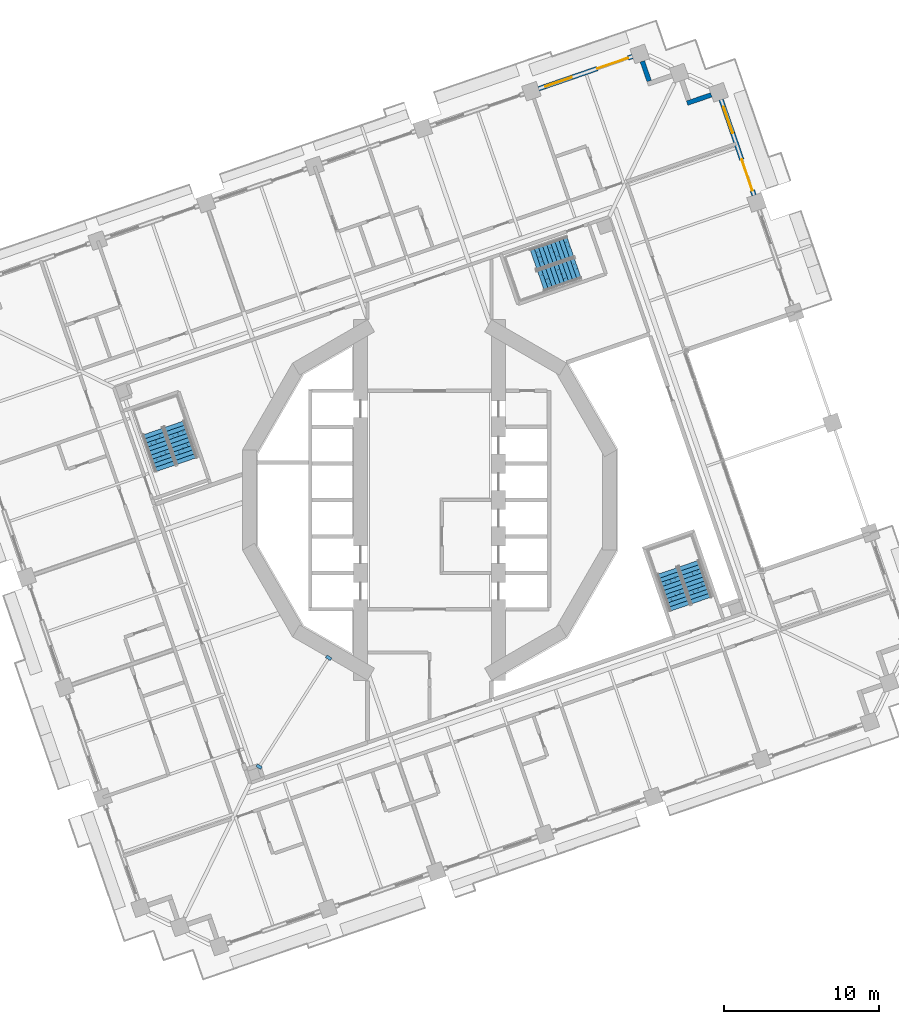
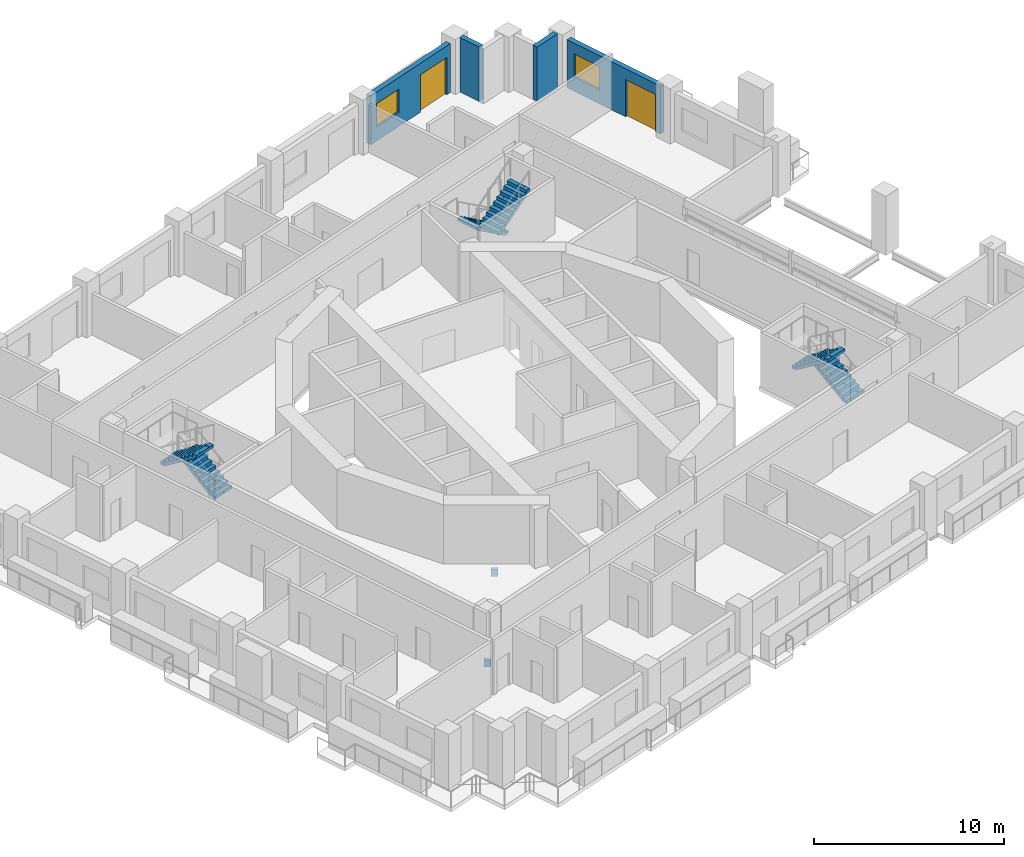
# One storey, part 14 of 22: 6 stair flights, 4 walls, 2 discrete accessories, 2 doors, 2 windows, 4 openings, 3 elements without a shape of their own.
"""IFC4 building model written with IfcOpenShell, lengths in metres."""

from ifc_helpers import new_model, si_unit, direction, frame, frame_2d, origin, place, context, subcontext, project, spatial, polyline, rectangle, outline, extrude, material, layer, layer_set, type_object, element, fill, aggregate, save


model = new_model("IFC4")

# Units and contexts
model_context = context("Model", 3, precision=1e-05, world=origin(), true_north=direction((0.0, 1.0)))
body_context = subcontext(model_context, "Body", "Model", "MODEL_VIEW")
ifc_project = project(units=[si_unit("LENGTHUNIT", "METRE"), si_unit("AREAUNIT", "SQUARE_METRE"), si_unit("VOLUMEUNIT", "CUBIC_METRE"), si_unit("PLANEANGLEUNIT", "RADIAN"), si_unit("MASSUNIT", "GRAM", prefix="KILO")], contexts=[model_context])

# Site, building, storey
site_placement = place(None, origin())
site = spatial("IfcSite", under=ifc_project, at=site_placement, CompositionType="ELEMENT")
building_placement = place(site_placement, origin())
building = spatial("IfcBuilding", under=site, at=building_placement, Name="Cantera Rosa Tower", CompositionType="ELEMENT")
storey_placement = place(building_placement, frame((0.0, 0.0, 115.5)))
storey = spatial("IfcBuildingStorey", under=building, at=storey_placement, Name="L23", CompositionType="ELEMENT", Elevation=115.5)

# Walls
ifc_material_1 = material(Name="Hollow clay masonry with cantera stone cladding", Category="masonry")
ifc_layer_1 = layer(ifc_material_1, 0.300048828125)
ifc_layer_set_1 = layer_set([ifc_layer_1], Name="EW-LOGGIA 300")
wall_type_1 = type_object("IfcWallType", Name="EW-LOGGIA 300", PredefinedType="SOLIDWALL", material=ifc_layer_set_1)
wall_1_placement = place(storey_placement, frame((18.17919921875, 26.142822265625, 0.0), z_axis=(0.0, 0.0, 1.0), x_axis=(-0.945530119553, -0.32553462645, 0.0)))
element("IfcWall", 1, at=wall_1_placement, inside=storey, type_object=wall_type_1, Name="EN-L23-W06a", PredefinedType="SOLIDWALL", context=body_context, shape_type="SweptSolid", body=[
    extrude(rectangle(XDim=1.64990234375, YDim=0.300048828125, at=frame_2d((0.824951171875, 0.0))), origin(), (0.0, 0.0, 1.0), 3.5),
])
wall_2_placement = place(storey_placement, frame((14.169921875, 27.0361328125, 0.0), z_axis=(0.0, 0.0, 1.0), x_axis=(-0.325650742363, 0.945490134268, 0.0)))
element("IfcWall", 2, at=wall_2_placement, inside=storey, type_object=wall_type_1, Name="EN-L23-W07b", PredefinedType="SOLIDWALL", context=body_context, shape_type="SweptSolid", body=[
    extrude(rectangle(XDim=1.35009765625, YDim=0.300048828125, at=frame_2d((0.675048828125, 0.0))), origin(), (0.0, 0.0, 1.0), 3.5),
])

# Wall, openings, window, door
ifc_material_2 = material(Name="Hollow clay masonry with cantera stone cladding", Category="masonry")
ifc_layer_2 = layer(ifc_material_2, 0.300048828125)
ifc_layer_set_2 = layer_set([ifc_layer_2], Name="EW-LOGGIA 300 H3090")
wall_type_2 = type_object("IfcWallType", Name="EW-LOGGIA 300 H3090", PredefinedType="SOLIDWALL", material=ifc_layer_set_2)
wall_3_placement = place(storey_placement, frame((20.9375, 19.668212890625, 0.0), z_axis=(0.0, 0.0, 1.0), x_axis=(-0.325592517631, 0.945510186335, 0.0)))
wall_3 = element("IfcWall", 3, at=wall_3_placement, inside=storey, type_object=wall_type_2, Name="EN-L23-W05", PredefinedType="SOLIDWALL", context=body_context, shape_type="SweptSolid", body=[
    extrude(rectangle(XDim=6.519775390625, YDim=0.300048828125, at=frame_2d((3.259765625, 0.0))), origin(), (0.0, 0.0, 1.0), 3.090087890625),
])
opening_1_placement = place(wall_3_placement, frame((0.330078125, 0.0, 0.0)))
opening_1 = element("IfcOpeningElement", 4, at=opening_1_placement, cuts=wall_3, Name="Opening L23-TD05", PredefinedType="OPENING", context=body_context, shape_type="SweptSolid", body=[
    extrude(rectangle(XDim=2.10009765625, YDim=2.39990234375, at=frame_2d((1.050048828125, 1.199951171875))), frame((0.0, 0.159912109375, 0.0), z_axis=(0.0, -1.0, 0.0), x_axis=(1.0, 0.0, 0.0)), (0.0, 0.0, 1.0), 0.320068359375),
])
opening_2_placement = place(wall_3_placement, frame((4.239990234375, 0.0, 0.89990234375)))
opening_2 = element("IfcOpeningElement", 5, at=opening_2_placement, cuts=wall_3, Name="Opening L23-W06", PredefinedType="OPENING", context=body_context, shape_type="SweptSolid", body=[
    extrude(rectangle(XDim=1.800048828125, YDim=1.5, at=frame_2d((0.89990234375, 0.75))), frame((0.0, 0.159912109375, 0.0), z_axis=(0.0, -1.0, 0.0), x_axis=(1.0, 0.0, 0.0)), (0.0, 0.0, 1.0), 0.320068359375),
])
ifc_material_3 = material(Name="Aluminium frame with clear glass", Category="aluminium")
window_type = type_object("IfcWindowType", Name="Hotel room window 1800x1500", PartitioningType="DOUBLE_PANEL_VERTICAL", PredefinedType="WINDOW", material=ifc_material_3)
window_1_placement = place(opening_2_placement, origin())
window_1 = element("IfcWindow", 6, at=window_1_placement, inside=storey, type_object=window_type, Name="WINDOW L23-W06", OverallHeight=1.5, OverallWidth=1.800048828125, PartitioningType="SINGLE_PANEL", PredefinedType="WINDOW", context=body_context, shape_type="SweptSolid", body=[
    extrude(rectangle(XDim=1.800048828125, YDim=1.5, at=frame_2d((0.89990234375, 0.75))), frame((0.0, 0.030029296875, 0.0), z_axis=(0.0, -1.0, 0.0), x_axis=(1.0, 0.0, 0.0)), (0.0, 0.0, 1.0), 0.06005859375),
])
fill(opening_2, window_1)
ifc_material_4 = material(Name="Aluminium frame with clear glass", Category="aluminium")
door_type = type_object("IfcDoorType", Name="TD-H 2100x2400", OperationType="NOTDEFINED", PredefinedType="DOOR", material=ifc_material_4)
door_1_placement = place(opening_1_placement, origin())
door_1 = element("IfcDoor", 7, at=door_1_placement, inside=storey, type_object=door_type, Name="LOGGIA DOOR L23-TD05", OperationType="SLIDING_TO_LEFT", OverallHeight=2.39990234375, OverallWidth=2.10009765625, PredefinedType="DOOR", context=body_context, shape_type="SweptSolid", body=[
    extrude(rectangle(XDim=2.10009765625, YDim=2.39990234375, at=frame_2d((1.050048828125, 1.199951171875))), frame((0.0, 0.02490234375, 0.0), z_axis=(0.0, -1.0, 0.0), x_axis=(1.0, 0.0, 0.0)), (0.0, 0.0, 1.0), 0.050048828125),
])
fill(opening_1, door_1)

ifc_material_5 = material(Name="Hollow clay masonry with cantera stone cladding", Category="masonry")
ifc_layer_3 = layer(ifc_material_5, 0.300048828125)
ifc_layer_set_3 = layer_set([ifc_layer_3], Name="EW-LOGGIA 300 H3140")
wall_type_3 = type_object("IfcWallType", Name="EW-LOGGIA 300 H3140", PredefinedType="SOLIDWALL", material=ifc_layer_set_3)
wall_4_placement = place(storey_placement, frame((13.0947265625, 28.62255859375, 0.0), z_axis=(0.0, 0.0, 1.0), x_axis=(-0.945524496524, -0.325550958337, 0.0)))
wall_4 = element("IfcWall", 8, at=wall_4_placement, inside=storey, type_object=wall_type_3, Name="EN-L23-W08", PredefinedType="SOLIDWALL", context=body_context, shape_type="SweptSolid", body=[
    extrude(rectangle(XDim=6.39990234375, YDim=0.300048828125, at=frame_2d((3.199951171875, 0.0))), origin(), (0.0, 0.0, 1.0), 3.139892578125),
])
opening_3_placement = place(wall_4_placement, frame((0.300048828125, 0.0, 0.0)))
opening_3 = element("IfcOpeningElement", 9, at=opening_3_placement, cuts=wall_4, Name="Opening L23-TD07", PredefinedType="OPENING", context=body_context, shape_type="SweptSolid", body=[
    extrude(rectangle(XDim=2.10009765625, YDim=2.39990234375, at=frame_2d((1.050048828125, 1.199951171875))), frame((0.0, 0.159912109375, 0.0), z_axis=(0.0, -1.0, 0.0), x_axis=(1.0, 0.0, 0.0)), (0.0, 0.0, 1.0), 0.320068359375),
])
opening_4_placement = place(wall_4_placement, frame((4.14990234375, 0.0, 0.89990234375)))
opening_4 = element("IfcOpeningElement", 10, at=opening_4_placement, cuts=wall_4, Name="Opening L23-W08", PredefinedType="OPENING", context=body_context, shape_type="SweptSolid", body=[
    extrude(rectangle(XDim=1.800048828125, YDim=1.5, at=frame_2d((0.89990234375, 0.75))), frame((0.0, 0.159912109375, 0.0), z_axis=(0.0, -1.0, 0.0), x_axis=(1.0, 0.0, 0.0)), (0.0, 0.0, 1.0), 0.320068359375),
])
window_2_placement = place(opening_4_placement, origin())
window_2 = element("IfcWindow", 11, at=window_2_placement, inside=storey, type_object=window_type, Name="WINDOW L23-W08", OverallHeight=1.5, OverallWidth=1.800048828125, PartitioningType="SINGLE_PANEL", PredefinedType="WINDOW", context=body_context, shape_type="SweptSolid", body=[
    extrude(rectangle(XDim=1.800048828125, YDim=1.5, at=frame_2d((0.89990234375, 0.75))), frame((0.0, 0.030029296875, 0.0), z_axis=(0.0, -1.0, 0.0), x_axis=(1.0, 0.0, 0.0)), (0.0, 0.0, 1.0), 0.06005859375),
])
fill(opening_4, window_2)
door_2_placement = place(opening_3_placement, origin())
door_2 = element("IfcDoor", 12, at=door_2_placement, inside=storey, type_object=door_type, Name="LOGGIA DOOR L23-TD07", OperationType="SLIDING_TO_LEFT", OverallHeight=2.39990234375, OverallWidth=2.10009765625, PredefinedType="DOOR", context=body_context, shape_type="SweptSolid", body=[
    extrude(rectangle(XDim=2.10009765625, YDim=2.39990234375, at=frame_2d((1.050048828125, 1.199951171875))), frame((0.0, 0.02490234375, 0.0), z_axis=(0.0, -1.0, 0.0), x_axis=(1.0, 0.0, 0.0)), (0.0, 0.0, 1.0), 0.050048828125),
])
fill(opening_3, door_2)

# Stair, stair flights
ifc_material_6 = material(Name="Concrete C35/45", Category="concrete")
stair_type = type_object("IfcStairType", Name="EXIT STAIR 1350 DOGLEG", PredefinedType="HALF_TURN_STAIR", material=ifc_material_6)
stair_1_placement = place(storey_placement, origin())
stair_1 = element("IfcStair", 13, at=stair_1_placement, inside=storey, type_object=stair_type, Name="L23 ST-21", PredefinedType="HALF_TURN_STAIR")
ifc_material_7 = material(Name="Concrete C35/45", Category="concrete")
stair_flight_type = type_object("IfcStairFlightType", Name="STAIR FLIGHT 1350 R20x190", PredefinedType="STRAIGHT", material=ifc_material_7)
stair_flight_1_placement = place(storey_placement, frame((9.07958984375, 16.364990234375, 0.0), z_axis=(0.0, 0.0, 1.0), x_axis=(-0.945518575599, -0.325568154457, 0.0)))
stair_flight_1 = element("IfcStairFlight", 14, at=stair_flight_1_placement, type_object=stair_flight_type, Name="ST-21 flight 1", NumberOfRisers=10, NumberOfTreads=9, PredefinedType="STRAIGHT", RiserHeight=0.19, TreadLength=0.28, context=body_context, shape_type="SweptSolid", body=[
    extrude(outline(polyline([(0.0, 0.0), (0.0, 0.18994140625), (0.280029296875, 0.18994140625), (0.280029296875, 0.3798828125), (0.56005859375, 0.3798828125), (0.56005859375, 0.570068359375), (0.840087890625, 0.570068359375), (0.840087890625, 0.760009765625), (1.1201171875, 0.760009765625), (1.1201171875, 0.949951171875), (1.39990234375, 0.949951171875), (1.39990234375, 1.139892578125), (1.679931640625, 1.139892578125), (1.679931640625, 1.330078125), (1.9599609375, 1.330078125), (1.9599609375, 1.52001953125), (2.239990234375, 1.52001953125), (2.239990234375, 1.7099609375), (2.52001953125, 1.7099609375), (2.52001953125, 1.89990234375), (2.52001953125, 1.52880859375), (0.266845703125, 0.0), (0.0, 0.0)])), frame((0.0, 0.675048828125, 0.0), z_axis=(0.0, -1.0, 0.0), x_axis=(1.0, 0.0, 0.0)), (0.0, 0.0, 1.0), 0.3359375),
    extrude(outline(polyline([(0.0, 0.0), (0.0, 0.18994140625), (0.280029296875, 0.18994140625), (0.280029296875, 0.3798828125), (0.56005859375, 0.3798828125), (0.56005859375, 0.570068359375), (0.840087890625, 0.570068359375), (0.840087890625, 0.760009765625), (1.1201171875, 0.760009765625), (1.1201171875, 0.949951171875), (1.39990234375, 0.949951171875), (1.39990234375, 1.139892578125), (1.679931640625, 1.139892578125), (1.679931640625, 1.330078125), (1.9599609375, 1.330078125), (1.9599609375, 1.52001953125), (2.239990234375, 1.52001953125), (2.239990234375, 1.7099609375), (2.52001953125, 1.7099609375), (2.52001953125, 1.89990234375), (2.52001953125, 1.52880859375), (0.266845703125, 0.0), (0.0, 0.0)])), frame((0.0, 0.337158203125, 0.0), z_axis=(0.0, -1.0, 0.0), x_axis=(1.0, 0.0, 0.0)), (0.0, 0.0, 1.0), 0.3359375),
    extrude(outline(polyline([(0.0, 0.0), (0.0, 0.18994140625), (0.280029296875, 0.18994140625), (0.280029296875, 0.3798828125), (0.56005859375, 0.3798828125), (0.56005859375, 0.570068359375), (0.840087890625, 0.570068359375), (0.840087890625, 0.760009765625), (1.1201171875, 0.760009765625), (1.1201171875, 0.949951171875), (1.39990234375, 0.949951171875), (1.39990234375, 1.139892578125), (1.679931640625, 1.139892578125), (1.679931640625, 1.330078125), (1.9599609375, 1.330078125), (1.9599609375, 1.52001953125), (2.239990234375, 1.52001953125), (2.239990234375, 1.7099609375), (2.52001953125, 1.7099609375), (2.52001953125, 1.89990234375), (2.52001953125, 1.52880859375), (0.266845703125, 0.0), (0.0, 0.0)])), frame((0.0, -0.000732421875, 0.0), z_axis=(0.0, -1.0, 0.0), x_axis=(1.0, 0.0, 0.0)), (0.0, 0.0, 1.0), 0.3359375),
    extrude(outline(polyline([(0.0, 0.0), (0.0, 0.18994140625), (0.280029296875, 0.18994140625), (0.280029296875, 0.3798828125), (0.56005859375, 0.3798828125), (0.56005859375, 0.570068359375), (0.840087890625, 0.570068359375), (0.840087890625, 0.760009765625), (1.1201171875, 0.760009765625), (1.1201171875, 0.949951171875), (1.39990234375, 0.949951171875), (1.39990234375, 1.139892578125), (1.679931640625, 1.139892578125), (1.679931640625, 1.330078125), (1.9599609375, 1.330078125), (1.9599609375, 1.52001953125), (2.239990234375, 1.52001953125), (2.239990234375, 1.7099609375), (2.52001953125, 1.7099609375), (2.52001953125, 1.89990234375), (2.52001953125, 1.52880859375), (0.266845703125, 0.0), (0.0, 0.0)])), frame((0.0, -0.338623046875, 0.0), z_axis=(0.0, -1.0, 0.0), x_axis=(1.0, 0.0, 0.0)), (0.0, 0.0, 1.0), 0.3359375),
])
stair_flight_2_placement = place(storey_placement, frame((7.185302734375, 14.126220703125, 1.89990234375), z_axis=(0.0, 0.0, 1.0), x_axis=(0.945518575599, 0.325568154457, 0.0)))
stair_flight_2 = element("IfcStairFlight", 15, at=stair_flight_2_placement, type_object=stair_flight_type, Name="ST-21 flight 2", NumberOfRisers=10, NumberOfTreads=9, PredefinedType="STRAIGHT", RiserHeight=0.19, TreadLength=0.28, context=body_context, shape_type="SweptSolid", body=[
    extrude(outline(polyline([(0.0, 0.0), (0.0, 0.18994140625), (0.280029296875, 0.18994140625), (0.280029296875, 0.3798828125), (0.56005859375, 0.3798828125), (0.56005859375, 0.570068359375), (0.840087890625, 0.570068359375), (0.840087890625, 0.760009765625), (1.1201171875, 0.760009765625), (1.1201171875, 0.949951171875), (1.39990234375, 0.949951171875), (1.39990234375, 1.139892578125), (1.679931640625, 1.139892578125), (1.679931640625, 1.330078125), (1.9599609375, 1.330078125), (1.9599609375, 1.52001953125), (2.239990234375, 1.52001953125), (2.239990234375, 1.7099609375), (2.52001953125, 1.7099609375), (2.52001953125, 1.89990234375), (2.52001953125, 1.52880859375), (0.266845703125, 0.0), (0.0, 0.0)])), frame((0.0, 0.675048828125, 0.0), z_axis=(0.0, -1.0, 0.0), x_axis=(1.0, 0.0, 0.0)), (0.0, 0.0, 1.0), 0.3359375),
    extrude(outline(polyline([(0.0, 0.0), (0.0, 0.18994140625), (0.280029296875, 0.18994140625), (0.280029296875, 0.3798828125), (0.56005859375, 0.3798828125), (0.56005859375, 0.570068359375), (0.840087890625, 0.570068359375), (0.840087890625, 0.760009765625), (1.1201171875, 0.760009765625), (1.1201171875, 0.949951171875), (1.39990234375, 0.949951171875), (1.39990234375, 1.139892578125), (1.679931640625, 1.139892578125), (1.679931640625, 1.330078125), (1.9599609375, 1.330078125), (1.9599609375, 1.52001953125), (2.239990234375, 1.52001953125), (2.239990234375, 1.7099609375), (2.52001953125, 1.7099609375), (2.52001953125, 1.89990234375), (2.52001953125, 1.52880859375), (0.266845703125, 0.0), (0.0, 0.0)])), frame((0.0, 0.337158203125, 0.0), z_axis=(0.0, -1.0, 0.0), x_axis=(1.0, 0.0, 0.0)), (0.0, 0.0, 1.0), 0.3359375),
    extrude(outline(polyline([(0.0, 0.0), (0.0, 0.18994140625), (0.280029296875, 0.18994140625), (0.280029296875, 0.3798828125), (0.56005859375, 0.3798828125), (0.56005859375, 0.570068359375), (0.840087890625, 0.570068359375), (0.840087890625, 0.760009765625), (1.1201171875, 0.760009765625), (1.1201171875, 0.949951171875), (1.39990234375, 0.949951171875), (1.39990234375, 1.139892578125), (1.679931640625, 1.139892578125), (1.679931640625, 1.330078125), (1.9599609375, 1.330078125), (1.9599609375, 1.52001953125), (2.239990234375, 1.52001953125), (2.239990234375, 1.7099609375), (2.52001953125, 1.7099609375), (2.52001953125, 1.89990234375), (2.52001953125, 1.52880859375), (0.266845703125, 0.0), (0.0, 0.0)])), frame((0.0, -0.000732421875, 0.0), z_axis=(0.0, -1.0, 0.0), x_axis=(1.0, 0.0, 0.0)), (0.0, 0.0, 1.0), 0.3359375),
    extrude(outline(polyline([(0.0, 0.0), (0.0, 0.18994140625), (0.280029296875, 0.18994140625), (0.280029296875, 0.3798828125), (0.56005859375, 0.3798828125), (0.56005859375, 0.570068359375), (0.840087890625, 0.570068359375), (0.840087890625, 0.760009765625), (1.1201171875, 0.760009765625), (1.1201171875, 0.949951171875), (1.39990234375, 0.949951171875), (1.39990234375, 1.139892578125), (1.679931640625, 1.139892578125), (1.679931640625, 1.330078125), (1.9599609375, 1.330078125), (1.9599609375, 1.52001953125), (2.239990234375, 1.52001953125), (2.239990234375, 1.7099609375), (2.52001953125, 1.7099609375), (2.52001953125, 1.89990234375), (2.52001953125, 1.52880859375), (0.266845703125, 0.0), (0.0, 0.0)])), frame((0.0, -0.338623046875, 0.0), z_axis=(0.0, -1.0, 0.0), x_axis=(1.0, 0.0, 0.0)), (0.0, 0.0, 1.0), 0.3359375),
])
aggregate(stair_1, [stair_flight_1, stair_flight_2])

stair_2_placement = place(storey_placement, origin())
stair_2 = element("IfcStair", 16, at=stair_2_placement, inside=storey, type_object=stair_type, Name="L23 ST-22", PredefinedType="HALF_TURN_STAIR")
stair_flight_3_placement = place(storey_placement, frame((-15.635009765625, 2.5205078125, 0.0), z_axis=(0.0, 0.0, 1.0), x_axis=(-0.325568154457, 0.945518575599, 0.0)))
stair_flight_3 = element("IfcStairFlight", 17, at=stair_flight_3_placement, type_object=stair_flight_type, Name="ST-22 flight 1", NumberOfRisers=10, NumberOfTreads=9, PredefinedType="STRAIGHT", RiserHeight=0.19, TreadLength=0.28, context=body_context, shape_type="SweptSolid", body=[
    extrude(outline(polyline([(0.0, 0.0), (0.0, 0.18994140625), (0.280029296875, 0.18994140625), (0.280029296875, 0.3798828125), (0.56005859375, 0.3798828125), (0.56005859375, 0.570068359375), (0.840087890625, 0.570068359375), (0.840087890625, 0.760009765625), (1.1201171875, 0.760009765625), (1.1201171875, 0.949951171875), (1.39990234375, 0.949951171875), (1.39990234375, 1.139892578125), (1.679931640625, 1.139892578125), (1.679931640625, 1.330078125), (1.9599609375, 1.330078125), (1.9599609375, 1.52001953125), (2.239990234375, 1.52001953125), (2.239990234375, 1.7099609375), (2.52001953125, 1.7099609375), (2.52001953125, 1.89990234375), (2.52001953125, 1.52880859375), (0.266845703125, 0.0), (0.0, 0.0)])), frame((0.0, 0.675048828125, 0.0), z_axis=(0.0, -1.0, 0.0), x_axis=(1.0, 0.0, 0.0)), (0.0, 0.0, 1.0), 0.3359375),
    extrude(outline(polyline([(0.0, 0.0), (0.0, 0.18994140625), (0.280029296875, 0.18994140625), (0.280029296875, 0.3798828125), (0.56005859375, 0.3798828125), (0.56005859375, 0.570068359375), (0.840087890625, 0.570068359375), (0.840087890625, 0.760009765625), (1.1201171875, 0.760009765625), (1.1201171875, 0.949951171875), (1.39990234375, 0.949951171875), (1.39990234375, 1.139892578125), (1.679931640625, 1.139892578125), (1.679931640625, 1.330078125), (1.9599609375, 1.330078125), (1.9599609375, 1.52001953125), (2.239990234375, 1.52001953125), (2.239990234375, 1.7099609375), (2.52001953125, 1.7099609375), (2.52001953125, 1.89990234375), (2.52001953125, 1.52880859375), (0.266845703125, 0.0), (0.0, 0.0)])), frame((0.0, 0.337158203125, 0.0), z_axis=(0.0, -1.0, 0.0), x_axis=(1.0, 0.0, 0.0)), (0.0, 0.0, 1.0), 0.3359375),
    extrude(outline(polyline([(0.0, 0.0), (0.0, 0.18994140625), (0.280029296875, 0.18994140625), (0.280029296875, 0.3798828125), (0.56005859375, 0.3798828125), (0.56005859375, 0.570068359375), (0.840087890625, 0.570068359375), (0.840087890625, 0.760009765625), (1.1201171875, 0.760009765625), (1.1201171875, 0.949951171875), (1.39990234375, 0.949951171875), (1.39990234375, 1.139892578125), (1.679931640625, 1.139892578125), (1.679931640625, 1.330078125), (1.9599609375, 1.330078125), (1.9599609375, 1.52001953125), (2.239990234375, 1.52001953125), (2.239990234375, 1.7099609375), (2.52001953125, 1.7099609375), (2.52001953125, 1.89990234375), (2.52001953125, 1.52880859375), (0.266845703125, 0.0), (0.0, 0.0)])), frame((0.0, -0.000732421875, 0.0), z_axis=(0.0, -1.0, 0.0), x_axis=(1.0, 0.0, 0.0)), (0.0, 0.0, 1.0), 0.3359375),
    extrude(outline(polyline([(0.0, 0.0), (0.0, 0.18994140625), (0.280029296875, 0.18994140625), (0.280029296875, 0.3798828125), (0.56005859375, 0.3798828125), (0.56005859375, 0.570068359375), (0.840087890625, 0.570068359375), (0.840087890625, 0.760009765625), (1.1201171875, 0.760009765625), (1.1201171875, 0.949951171875), (1.39990234375, 0.949951171875), (1.39990234375, 1.139892578125), (1.679931640625, 1.139892578125), (1.679931640625, 1.330078125), (1.9599609375, 1.330078125), (1.9599609375, 1.52001953125), (2.239990234375, 1.52001953125), (2.239990234375, 1.7099609375), (2.52001953125, 1.7099609375), (2.52001953125, 1.89990234375), (2.52001953125, 1.52880859375), (0.266845703125, 0.0), (0.0, 0.0)])), frame((0.0, -0.338623046875, 0.0), z_axis=(0.0, -1.0, 0.0), x_axis=(1.0, 0.0, 0.0)), (0.0, 0.0, 1.0), 0.3359375),
])
stair_flight_4_placement = place(storey_placement, frame((-17.873779296875, 4.414794921875, 1.89990234375), z_axis=(0.0, 0.0, 1.0), x_axis=(0.325568154457, -0.945518575599, 0.0)))
stair_flight_4 = element("IfcStairFlight", 18, at=stair_flight_4_placement, type_object=stair_flight_type, Name="ST-22 flight 2", NumberOfRisers=10, NumberOfTreads=9, PredefinedType="STRAIGHT", RiserHeight=0.19, TreadLength=0.28, context=body_context, shape_type="SweptSolid", body=[
    extrude(outline(polyline([(0.0, 0.0), (0.0, 0.18994140625), (0.280029296875, 0.18994140625), (0.280029296875, 0.3798828125), (0.56005859375, 0.3798828125), (0.56005859375, 0.570068359375), (0.840087890625, 0.570068359375), (0.840087890625, 0.760009765625), (1.1201171875, 0.760009765625), (1.1201171875, 0.949951171875), (1.39990234375, 0.949951171875), (1.39990234375, 1.139892578125), (1.679931640625, 1.139892578125), (1.679931640625, 1.330078125), (1.9599609375, 1.330078125), (1.9599609375, 1.52001953125), (2.239990234375, 1.52001953125), (2.239990234375, 1.7099609375), (2.52001953125, 1.7099609375), (2.52001953125, 1.89990234375), (2.52001953125, 1.52880859375), (0.266845703125, 0.0), (0.0, 0.0)])), frame((0.0, 0.675048828125, 0.0), z_axis=(0.0, -1.0, 0.0), x_axis=(1.0, 0.0, 0.0)), (0.0, 0.0, 1.0), 0.3359375),
    extrude(outline(polyline([(0.0, 0.0), (0.0, 0.18994140625), (0.280029296875, 0.18994140625), (0.280029296875, 0.3798828125), (0.56005859375, 0.3798828125), (0.56005859375, 0.570068359375), (0.840087890625, 0.570068359375), (0.840087890625, 0.760009765625), (1.1201171875, 0.760009765625), (1.1201171875, 0.949951171875), (1.39990234375, 0.949951171875), (1.39990234375, 1.139892578125), (1.679931640625, 1.139892578125), (1.679931640625, 1.330078125), (1.9599609375, 1.330078125), (1.9599609375, 1.52001953125), (2.239990234375, 1.52001953125), (2.239990234375, 1.7099609375), (2.52001953125, 1.7099609375), (2.52001953125, 1.89990234375), (2.52001953125, 1.52880859375), (0.266845703125, 0.0), (0.0, 0.0)])), frame((0.0, 0.337158203125, 0.0), z_axis=(0.0, -1.0, 0.0), x_axis=(1.0, 0.0, 0.0)), (0.0, 0.0, 1.0), 0.3359375),
    extrude(outline(polyline([(0.0, 0.0), (0.0, 0.18994140625), (0.280029296875, 0.18994140625), (0.280029296875, 0.3798828125), (0.56005859375, 0.3798828125), (0.56005859375, 0.570068359375), (0.840087890625, 0.570068359375), (0.840087890625, 0.760009765625), (1.1201171875, 0.760009765625), (1.1201171875, 0.949951171875), (1.39990234375, 0.949951171875), (1.39990234375, 1.139892578125), (1.679931640625, 1.139892578125), (1.679931640625, 1.330078125), (1.9599609375, 1.330078125), (1.9599609375, 1.52001953125), (2.239990234375, 1.52001953125), (2.239990234375, 1.7099609375), (2.52001953125, 1.7099609375), (2.52001953125, 1.89990234375), (2.52001953125, 1.52880859375), (0.266845703125, 0.0), (0.0, 0.0)])), frame((0.0, -0.000732421875, 0.0), z_axis=(0.0, -1.0, 0.0), x_axis=(1.0, 0.0, 0.0)), (0.0, 0.0, 1.0), 0.3359375),
    extrude(outline(polyline([(0.0, 0.0), (0.0, 0.18994140625), (0.280029296875, 0.18994140625), (0.280029296875, 0.3798828125), (0.56005859375, 0.3798828125), (0.56005859375, 0.570068359375), (0.840087890625, 0.570068359375), (0.840087890625, 0.760009765625), (1.1201171875, 0.760009765625), (1.1201171875, 0.949951171875), (1.39990234375, 0.949951171875), (1.39990234375, 1.139892578125), (1.679931640625, 1.139892578125), (1.679931640625, 1.330078125), (1.9599609375, 1.330078125), (1.9599609375, 1.52001953125), (2.239990234375, 1.52001953125), (2.239990234375, 1.7099609375), (2.52001953125, 1.7099609375), (2.52001953125, 1.89990234375), (2.52001953125, 1.52880859375), (0.266845703125, 0.0), (0.0, 0.0)])), frame((0.0, -0.338623046875, 0.0), z_axis=(0.0, -1.0, 0.0), x_axis=(1.0, 0.0, 0.0)), (0.0, 0.0, 1.0), 0.3359375),
])
aggregate(stair_2, [stair_flight_3, stair_flight_4])

stair_3_placement = place(storey_placement, origin())
stair_3 = element("IfcStair", 19, at=stair_3_placement, inside=storey, type_object=stair_type, Name="L23 ST-23", PredefinedType="HALF_TURN_STAIR")
stair_flight_5_placement = place(storey_placement, frame((17.56494140625, -6.4794921875, 0.0), z_axis=(0.0, 0.0, 1.0), x_axis=(-0.325568154457, 0.945518575599, 0.0)))
stair_flight_5 = element("IfcStairFlight", 20, at=stair_flight_5_placement, type_object=stair_flight_type, Name="ST-23 flight 1", NumberOfRisers=10, NumberOfTreads=9, PredefinedType="STRAIGHT", RiserHeight=0.19, TreadLength=0.28, context=body_context, shape_type="SweptSolid", body=[
    extrude(outline(polyline([(0.0, 0.0), (0.0, 0.18994140625), (0.280029296875, 0.18994140625), (0.280029296875, 0.3798828125), (0.56005859375, 0.3798828125), (0.56005859375, 0.570068359375), (0.840087890625, 0.570068359375), (0.840087890625, 0.760009765625), (1.1201171875, 0.760009765625), (1.1201171875, 0.949951171875), (1.39990234375, 0.949951171875), (1.39990234375, 1.139892578125), (1.679931640625, 1.139892578125), (1.679931640625, 1.330078125), (1.9599609375, 1.330078125), (1.9599609375, 1.52001953125), (2.239990234375, 1.52001953125), (2.239990234375, 1.7099609375), (2.52001953125, 1.7099609375), (2.52001953125, 1.89990234375), (2.52001953125, 1.52880859375), (0.266845703125, 0.0), (0.0, 0.0)])), frame((0.0, 0.675048828125, 0.0), z_axis=(0.0, -1.0, 0.0), x_axis=(1.0, 0.0, 0.0)), (0.0, 0.0, 1.0), 0.3359375),
    extrude(outline(polyline([(0.0, 0.0), (0.0, 0.18994140625), (0.280029296875, 0.18994140625), (0.280029296875, 0.3798828125), (0.56005859375, 0.3798828125), (0.56005859375, 0.570068359375), (0.840087890625, 0.570068359375), (0.840087890625, 0.760009765625), (1.1201171875, 0.760009765625), (1.1201171875, 0.949951171875), (1.39990234375, 0.949951171875), (1.39990234375, 1.139892578125), (1.679931640625, 1.139892578125), (1.679931640625, 1.330078125), (1.9599609375, 1.330078125), (1.9599609375, 1.52001953125), (2.239990234375, 1.52001953125), (2.239990234375, 1.7099609375), (2.52001953125, 1.7099609375), (2.52001953125, 1.89990234375), (2.52001953125, 1.52880859375), (0.266845703125, 0.0), (0.0, 0.0)])), frame((0.0, 0.337158203125, 0.0), z_axis=(0.0, -1.0, 0.0), x_axis=(1.0, 0.0, 0.0)), (0.0, 0.0, 1.0), 0.3359375),
    extrude(outline(polyline([(0.0, 0.0), (0.0, 0.18994140625), (0.280029296875, 0.18994140625), (0.280029296875, 0.3798828125), (0.56005859375, 0.3798828125), (0.56005859375, 0.570068359375), (0.840087890625, 0.570068359375), (0.840087890625, 0.760009765625), (1.1201171875, 0.760009765625), (1.1201171875, 0.949951171875), (1.39990234375, 0.949951171875), (1.39990234375, 1.139892578125), (1.679931640625, 1.139892578125), (1.679931640625, 1.330078125), (1.9599609375, 1.330078125), (1.9599609375, 1.52001953125), (2.239990234375, 1.52001953125), (2.239990234375, 1.7099609375), (2.52001953125, 1.7099609375), (2.52001953125, 1.89990234375), (2.52001953125, 1.52880859375), (0.266845703125, 0.0), (0.0, 0.0)])), frame((0.0, -0.000732421875, 0.0), z_axis=(0.0, -1.0, 0.0), x_axis=(1.0, 0.0, 0.0)), (0.0, 0.0, 1.0), 0.3359375),
    extrude(outline(polyline([(0.0, 0.0), (0.0, 0.18994140625), (0.280029296875, 0.18994140625), (0.280029296875, 0.3798828125), (0.56005859375, 0.3798828125), (0.56005859375, 0.570068359375), (0.840087890625, 0.570068359375), (0.840087890625, 0.760009765625), (1.1201171875, 0.760009765625), (1.1201171875, 0.949951171875), (1.39990234375, 0.949951171875), (1.39990234375, 1.139892578125), (1.679931640625, 1.139892578125), (1.679931640625, 1.330078125), (1.9599609375, 1.330078125), (1.9599609375, 1.52001953125), (2.239990234375, 1.52001953125), (2.239990234375, 1.7099609375), (2.52001953125, 1.7099609375), (2.52001953125, 1.89990234375), (2.52001953125, 1.52880859375), (0.266845703125, 0.0), (0.0, 0.0)])), frame((0.0, -0.338623046875, 0.0), z_axis=(0.0, -1.0, 0.0), x_axis=(1.0, 0.0, 0.0)), (0.0, 0.0, 1.0), 0.3359375),
])
stair_flight_6_placement = place(storey_placement, frame((15.326171875, -4.585205078125, 1.89990234375), z_axis=(0.0, 0.0, 1.0), x_axis=(0.325568154457, -0.945518575599, 0.0)))
stair_flight_6 = element("IfcStairFlight", 21, at=stair_flight_6_placement, type_object=stair_flight_type, Name="ST-23 flight 2", NumberOfRisers=10, NumberOfTreads=9, PredefinedType="STRAIGHT", RiserHeight=0.19, TreadLength=0.28, context=body_context, shape_type="SweptSolid", body=[
    extrude(outline(polyline([(0.0, 0.0), (0.0, 0.18994140625), (0.280029296875, 0.18994140625), (0.280029296875, 0.3798828125), (0.56005859375, 0.3798828125), (0.56005859375, 0.570068359375), (0.840087890625, 0.570068359375), (0.840087890625, 0.760009765625), (1.1201171875, 0.760009765625), (1.1201171875, 0.949951171875), (1.39990234375, 0.949951171875), (1.39990234375, 1.139892578125), (1.679931640625, 1.139892578125), (1.679931640625, 1.330078125), (1.9599609375, 1.330078125), (1.9599609375, 1.52001953125), (2.239990234375, 1.52001953125), (2.239990234375, 1.7099609375), (2.52001953125, 1.7099609375), (2.52001953125, 1.89990234375), (2.52001953125, 1.52880859375), (0.266845703125, 0.0), (0.0, 0.0)])), frame((0.0, 0.675048828125, 0.0), z_axis=(0.0, -1.0, 0.0), x_axis=(1.0, 0.0, 0.0)), (0.0, 0.0, 1.0), 0.3359375),
    extrude(outline(polyline([(0.0, 0.0), (0.0, 0.18994140625), (0.280029296875, 0.18994140625), (0.280029296875, 0.3798828125), (0.56005859375, 0.3798828125), (0.56005859375, 0.570068359375), (0.840087890625, 0.570068359375), (0.840087890625, 0.760009765625), (1.1201171875, 0.760009765625), (1.1201171875, 0.949951171875), (1.39990234375, 0.949951171875), (1.39990234375, 1.139892578125), (1.679931640625, 1.139892578125), (1.679931640625, 1.330078125), (1.9599609375, 1.330078125), (1.9599609375, 1.52001953125), (2.239990234375, 1.52001953125), (2.239990234375, 1.7099609375), (2.52001953125, 1.7099609375), (2.52001953125, 1.89990234375), (2.52001953125, 1.52880859375), (0.266845703125, 0.0), (0.0, 0.0)])), frame((0.0, 0.337158203125, 0.0), z_axis=(0.0, -1.0, 0.0), x_axis=(1.0, 0.0, 0.0)), (0.0, 0.0, 1.0), 0.3359375),
    extrude(outline(polyline([(0.0, 0.0), (0.0, 0.18994140625), (0.280029296875, 0.18994140625), (0.280029296875, 0.3798828125), (0.56005859375, 0.3798828125), (0.56005859375, 0.570068359375), (0.840087890625, 0.570068359375), (0.840087890625, 0.760009765625), (1.1201171875, 0.760009765625), (1.1201171875, 0.949951171875), (1.39990234375, 0.949951171875), (1.39990234375, 1.139892578125), (1.679931640625, 1.139892578125), (1.679931640625, 1.330078125), (1.9599609375, 1.330078125), (1.9599609375, 1.52001953125), (2.239990234375, 1.52001953125), (2.239990234375, 1.7099609375), (2.52001953125, 1.7099609375), (2.52001953125, 1.89990234375), (2.52001953125, 1.52880859375), (0.266845703125, 0.0), (0.0, 0.0)])), frame((0.0, -0.000732421875, 0.0), z_axis=(0.0, -1.0, 0.0), x_axis=(1.0, 0.0, 0.0)), (0.0, 0.0, 1.0), 0.3359375),
    extrude(outline(polyline([(0.0, 0.0), (0.0, 0.18994140625), (0.280029296875, 0.18994140625), (0.280029296875, 0.3798828125), (0.56005859375, 0.3798828125), (0.56005859375, 0.570068359375), (0.840087890625, 0.570068359375), (0.840087890625, 0.760009765625), (1.1201171875, 0.760009765625), (1.1201171875, 0.949951171875), (1.39990234375, 0.949951171875), (1.39990234375, 1.139892578125), (1.679931640625, 1.139892578125), (1.679931640625, 1.330078125), (1.9599609375, 1.330078125), (1.9599609375, 1.52001953125), (2.239990234375, 1.52001953125), (2.239990234375, 1.7099609375), (2.52001953125, 1.7099609375), (2.52001953125, 1.89990234375), (2.52001953125, 1.52880859375), (0.266845703125, 0.0), (0.0, 0.0)])), frame((0.0, -0.338623046875, 0.0), z_axis=(0.0, -1.0, 0.0), x_axis=(1.0, 0.0, 0.0)), (0.0, 0.0, 1.0), 0.3359375),
])
aggregate(stair_3, [stair_flight_5, stair_flight_6])

# Discrete accessories
ifc_material_8 = material(Name="Steel ASTM A992 (Fy 345 MPa)", Category="steel")
ifc_layer_4 = layer(ifc_material_8, 0.0400390625)
ifc_layer_set_4 = layer_set([ifc_layer_4], Name="STEEL BEARING PLATE 40")
discrete_accessory_type = type_object("IfcDiscreteAccessoryType", Name="STEEL BEARING PLATE 40", PredefinedType="ANCHORPLATE", material=ifc_layer_set_4)
discrete_accessory_1_placement = place(storey_placement, frame((0.0, 0.0, -0.72802734375)))
element("IfcDiscreteAccessory", 22, at=discrete_accessory_1_placement, inside=storey, type_object=discrete_accessory_type, Name="BEARING PLATE PG-Z2-01 end 1 L23", PredefinedType="ANCHORPLATE", context=body_context, shape_type="SweptSolid", body=[
    extrude(outline(polyline([(-11.09619140625, -17.02783203125), (-11.203857421875, -17.1962890625), (-10.8955078125, -17.393310546875), (-10.787841796875, -17.224853515625), (-11.09619140625, -17.02783203125)])), origin(), (0.0, 0.0, 1.0), 0.427978515625),
])
discrete_accessory_2_placement = place(storey_placement, frame((0.0, 0.0, -0.72802734375)))
element("IfcDiscreteAccessory", 23, at=discrete_accessory_2_placement, inside=storey, type_object=discrete_accessory_type, Name="BEARING PLATE PG-Z2-01 end 2 L23", PredefinedType="ANCHORPLATE", context=body_context, shape_type="SweptSolid", body=[
    extrude(outline(polyline([(-6.40673828125, -10.367919921875), (-6.29931640625, -10.19921875), (-6.607666015625, -10.002197265625), (-6.71533203125, -10.170654296875), (-6.40673828125, -10.367919921875)])), origin(), (0.0, 0.0, 1.0), 0.427978515625),
])

save(model, "model.ifc")
